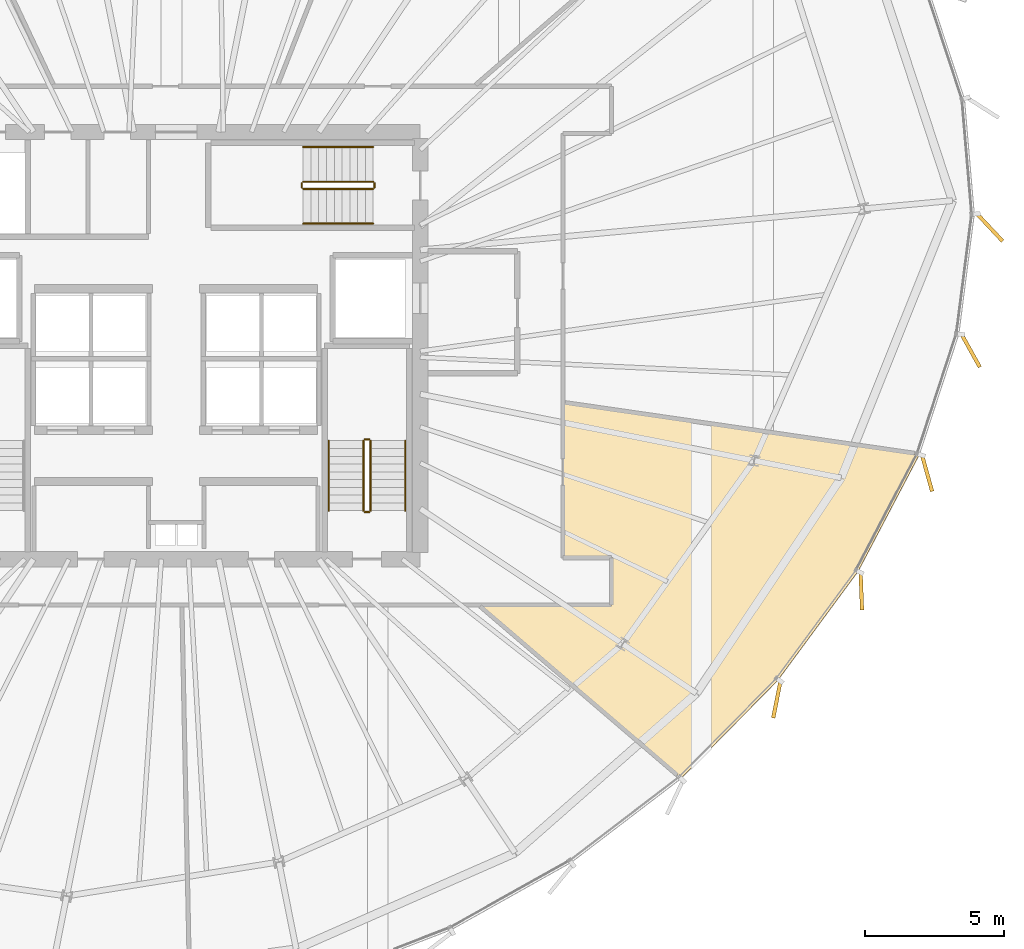
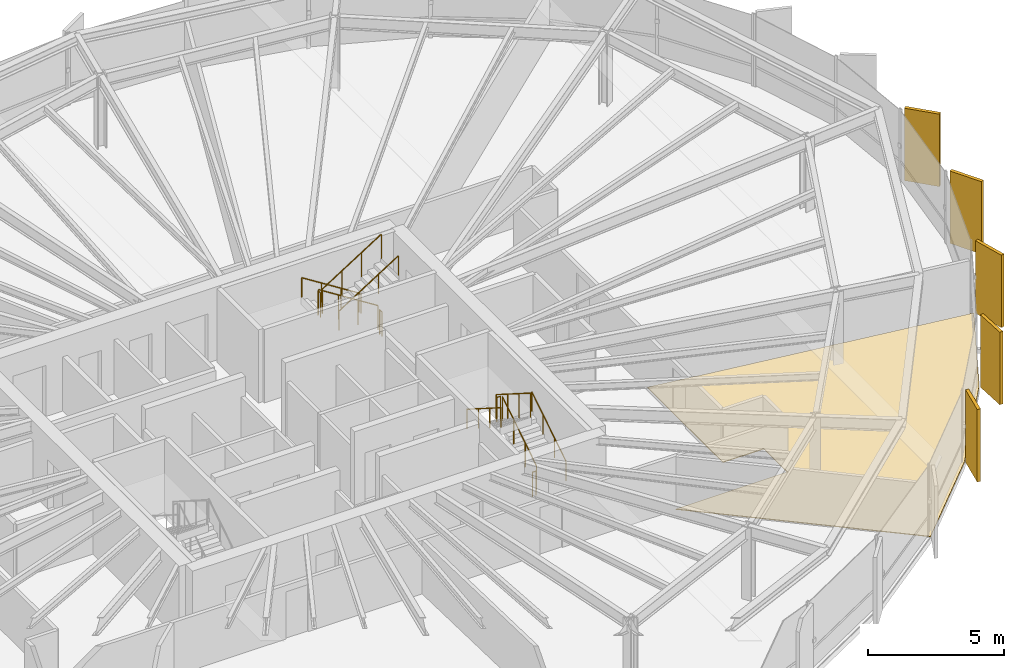
# One storey, part 34 of 35: 12 railings, 6 coverings.
"""IFC4 building model written with IfcOpenShell, lengths in metres."""

from ifc_helpers import new_model, si_unit, direction, frame, origin, origin_2d, place, context, subcontext, project, spatial, polyline, rectangle, circle, outline, extrude, source, transform, mapped, material, layer, layer_set, type_object, element, save


model = new_model("IFC4")

# Units and contexts
model_context = context("Model", 3, precision=1e-05, world=origin(), true_north=direction((0.0, 1.0)))
body_context = subcontext(model_context, "Body", "Model", "MODEL_VIEW")
ifc_project = project(units=[si_unit("LENGTHUNIT", "METRE"), si_unit("AREAUNIT", "SQUARE_METRE"), si_unit("VOLUMEUNIT", "CUBIC_METRE"), si_unit("PLANEANGLEUNIT", "RADIAN"), si_unit("MASSUNIT", "GRAM", prefix="KILO"), si_unit("THERMODYNAMICTEMPERATUREUNIT", "KELVIN")], contexts=[model_context])

# Site, building, storey
site_placement = place(None, origin())
site = spatial("IfcSite", under=ifc_project, at=site_placement, CompositionType="ELEMENT")
building_placement = place(site_placement, origin())
building = spatial("IfcBuilding", under=site, at=building_placement, Name="Kethvar Cultural Tower", CompositionType="ELEMENT")
storey_placement = place(building_placement, frame((0.0, 0.0, 135.89990234375)))
storey = spatial("IfcBuildingStorey", under=building, at=storey_placement, Name="L34", CompositionType="ELEMENT", Elevation=135.89990234375)

# Covering
ifc_material_1 = material(Name="Honed Warm Limestone", Category="masonry")
ifc_layer_1 = layer(ifc_material_1, 0.030029296875, Name="Honed Warm Limestone", Category="masonry")
ifc_layer_set_1 = layer_set([ifc_layer_1], Name="Honed Warm Limestone (30 mm)")
covering_type_1 = type_object("IfcCoveringType", Name="CV-STONE-FLOOR", PredefinedType="FLOORING", material=ifc_layer_set_1)
covering_placement = place(storey_placement, origin())
element("IfcCovering", 1, at=covering_placement, inside=storey, type_object=covering_type_1, Name="L34 Room 03 Floor Finish", PredefinedType="FLOORING", context=body_context, shape_type="SweptSolid", body=[
    extrude(outline(polyline([(71.3896484375, 19.666015625), (68.488037109375, 15.72802734375), (65.013671875, 12.2041015625), (57.7548828125, 18.429931640625), (62.5185546875, 18.4423828125), (62.51416015625, 20.1640625), (60.77001953125, 20.169921875), (60.77001953125, 25.732421875), (73.586669921875, 23.853759765625), (71.3896484375, 19.666015625)])), origin(), (0.0, 0.0, 1.0), 0.030029296875),
])

# Railings
ifc_material_2 = material(Name="Steel S355J2", Category="steel")
railing_type_1 = type_object("IfcRailingType", Name="RL-STAIR-GUARD", PredefinedType="BALUSTRADE", material=ifc_material_2)
railing_1_placement = place(storey_placement, frame((53.81005859375, 21.85009765625, 0.177490234375)))
element("IfcRailing", 2, at=railing_1_placement, inside=storey, type_object=railing_type_1, Name="L34 ST-02 stair guard 1", PredefinedType="BALUSTRADE", context=body_context, shape_type="SweptSolid", body=[
    extrude(circle(Radius=0.02392578125, at=origin_2d()), frame((0.0, 0.0, 1.09619140625), z_axis=(0.0, 0.84456994832, 0.535445237532), x_axis=(-1.0, 0.0, 0.0)), (0.0, 0.0, 1.0), 2.98388671875),
    extrude(circle(Radius=0.02099609375, at=origin_2d()), origin(), (0.0, 0.0, 1.0), 1.072021484375),
    extrude(circle(Radius=0.02099609375, at=origin_2d()), frame((0.0, 0.840087890625, 0.532470703125)), (0.0, 0.0, 1.0), 1.072021484375),
    extrude(circle(Radius=0.02099609375, at=origin_2d()), frame((0.0, 1.679931640625, 1.065185546875)), (0.0, 0.0, 1.0), 1.072021484375),
    extrude(circle(Radius=0.02099609375, at=origin_2d()), frame((0.0, 2.52001953125, 1.59765625)), (0.0, 0.0, 1.0), 1.072021484375),
])
railing_2_placement = place(storey_placement, frame((53.760009765625, 24.419921875, 1.775146484375)))
element("IfcRailing", 3, at=railing_2_placement, inside=storey, type_object=railing_type_1, Name="L34 ST-02 stair guard 2", PredefinedType="BALUSTRADE", context=body_context, shape_type="SweptSolid", body=[
    extrude(circle(Radius=0.02392578125, at=origin_2d()), frame((0.0, 0.0, 1.09619140625), z_axis=(-1.0, 0.0, 0.0), x_axis=(0.0, -1.0, 0.0)), (0.0, 0.0, 1.0), 0.159912109375),
    extrude(circle(Radius=0.02099609375, at=origin_2d()), origin(), (0.0, 0.0, 1.0), 1.072021484375),
    extrude(circle(Radius=0.02099609375, at=origin_2d()), frame((-0.159912109375, 0.0, 0.0)), (0.0, 0.0, 1.0), 1.072021484375),
])
railing_3_placement = place(storey_placement, frame((53.550048828125, 24.3701171875, 1.95263671875)))
element("IfcRailing", 4, at=railing_3_placement, inside=storey, type_object=railing_type_1, Name="L34 ST-02 stair guard 3", PredefinedType="BALUSTRADE", context=body_context, shape_type="SweptSolid", body=[
    extrude(circle(Radius=0.02392578125, at=origin_2d()), frame((0.0, 0.0, 1.09619140625), z_axis=(0.0, -0.84460694969, 0.535386869969), x_axis=(1.0, 0.0, 0.0)), (0.0, 0.0, 1.0), 2.983642578125),
    extrude(circle(Radius=0.02099609375, at=origin_2d()), origin(), (0.0, 0.0, 1.0), 1.072021484375),
    extrude(circle(Radius=0.02099609375, at=origin_2d()), frame((0.0, -0.840087890625, 0.532470703125)), (0.0, 0.0, 1.0), 1.072021484375),
    extrude(circle(Radius=0.02099609375, at=origin_2d()), frame((0.0, -1.679931640625, 1.06494140625)), (0.0, 0.0, 1.0), 1.072021484375),
    extrude(circle(Radius=0.02099609375, at=origin_2d()), frame((0.0, -2.52001953125, 1.597412109375)), (0.0, 0.0, 1.0), 1.072021484375),
])
railing_4_placement = place(storey_placement, frame((53.760009765625, 21.800048828125, 0.0)))
element("IfcRailing", 5, at=railing_4_placement, inside=storey, type_object=railing_type_1, Name="L34 ST-02 stair guard 4", PredefinedType="BALUSTRADE", context=body_context, shape_type="SweptSolid", body=[
    extrude(circle(Radius=0.02392578125, at=origin_2d()), frame((0.0, 0.0, 1.09619140625), z_axis=(-1.0, 0.0, 0.0), x_axis=(0.0, -1.0, 0.0)), (0.0, 0.0, 1.0), 0.159912109375),
    extrude(circle(Radius=0.02099609375, at=origin_2d()), origin(), (0.0, 0.0, 1.0), 1.072021484375),
    extrude(circle(Radius=0.02099609375, at=origin_2d()), frame((-0.159912109375, 0.0, 0.0)), (0.0, 0.0, 1.0), 1.072021484375),
])
railing_5_placement = place(storey_placement, frame((53.89990234375, 33.7099609375, 0.177490234375)))
element("IfcRailing", 6, at=railing_5_placement, inside=storey, type_object=railing_type_1, Name="L34 ST-03 stair guard 1", PredefinedType="BALUSTRADE", context=body_context, shape_type="SweptSolid", body=[
    extrude(circle(Radius=0.02392578125, at=origin_2d()), frame((0.0, 0.0, 1.09619140625), z_axis=(-0.84456994832, 0.0, 0.535445237532), x_axis=(0.0, -1.0, 0.0)), (0.0, 0.0, 1.0), 2.98388671875),
    extrude(circle(Radius=0.02099609375, at=origin_2d()), origin(), (0.0, 0.0, 1.0), 1.072021484375),
    extrude(circle(Radius=0.02099609375, at=origin_2d()), frame((-0.840087890625, 0.0, 0.532470703125)), (0.0, 0.0, 1.0), 1.072021484375),
    extrude(circle(Radius=0.02099609375, at=origin_2d()), frame((-1.679931640625, 0.0, 1.065185546875)), (0.0, 0.0, 1.0), 1.072021484375),
    extrude(circle(Radius=0.02099609375, at=origin_2d()), frame((-2.52001953125, 0.0, 1.59765625)), (0.0, 0.0, 1.0), 1.072021484375),
])
railing_6_placement = place(storey_placement, frame((51.330078125, 33.659912109375, 1.775146484375)))
element("IfcRailing", 7, at=railing_6_placement, inside=storey, type_object=railing_type_1, Name="L34 ST-03 stair guard 2", PredefinedType="BALUSTRADE", context=body_context, shape_type="SweptSolid", body=[
    extrude(circle(Radius=0.02392578125, at=origin_2d()), frame((0.0, 0.0, 1.09619140625), z_axis=(0.0, -1.0, 0.0), x_axis=(1.0, 0.0, 0.0)), (0.0, 0.0, 1.0), 0.159912109375),
    extrude(circle(Radius=0.02099609375, at=origin_2d()), origin(), (0.0, 0.0, 1.0), 1.072021484375),
    extrude(circle(Radius=0.02099609375, at=origin_2d()), frame((0.0, -0.159912109375, 0.0)), (0.0, 0.0, 1.0), 1.072021484375),
])
railing_7_placement = place(storey_placement, frame((51.3798828125, 33.449951171875, 1.95263671875)))
element("IfcRailing", 8, at=railing_7_placement, inside=storey, type_object=railing_type_1, Name="L34 ST-03 stair guard 3", PredefinedType="BALUSTRADE", context=body_context, shape_type="SweptSolid", body=[
    extrude(circle(Radius=0.02392578125, at=origin_2d()), frame((0.0, 0.0, 1.09619140625), z_axis=(0.84460694969, 0.0, 0.535386869969), x_axis=(0.0, 1.0, 0.0)), (0.0, 0.0, 1.0), 2.983642578125),
    extrude(circle(Radius=0.02099609375, at=origin_2d()), origin(), (0.0, 0.0, 1.0), 1.072021484375),
    extrude(circle(Radius=0.02099609375, at=origin_2d()), frame((0.840087890625, 0.0, 0.532470703125)), (0.0, 0.0, 1.0), 1.072021484375),
    extrude(circle(Radius=0.02099609375, at=origin_2d()), frame((1.679931640625, 0.0, 1.06494140625)), (0.0, 0.0, 1.0), 1.072021484375),
    extrude(circle(Radius=0.02099609375, at=origin_2d()), frame((2.52001953125, 0.0, 1.597412109375)), (0.0, 0.0, 1.0), 1.072021484375),
])
railing_8_placement = place(storey_placement, frame((53.949951171875, 33.659912109375, 0.0)))
element("IfcRailing", 9, at=railing_8_placement, inside=storey, type_object=railing_type_1, Name="L34 ST-03 stair guard 4", PredefinedType="BALUSTRADE", context=body_context, shape_type="SweptSolid", body=[
    extrude(circle(Radius=0.02392578125, at=origin_2d()), frame((0.0, 0.0, 1.09619140625), z_axis=(0.0, -1.0, 0.0), x_axis=(1.0, 0.0, 0.0)), (0.0, 0.0, 1.0), 0.159912109375),
    extrude(circle(Radius=0.02099609375, at=origin_2d()), origin(), (0.0, 0.0, 1.0), 1.072021484375),
    extrude(circle(Radius=0.02099609375, at=origin_2d()), frame((0.0, -0.159912109375, 0.0)), (0.0, 0.0, 1.0), 1.072021484375),
])
railing_type_2 = type_object("IfcRailingType", Name="RL-STAIR-HANDRAIL", PredefinedType="HANDRAIL", material=ifc_material_2)
railing_9_placement = place(storey_placement, frame((55.06005859375, 21.85009765625, 0.177490234375)))
element("IfcRailing", 10, at=railing_9_placement, inside=storey, type_object=railing_type_2, Name="L34 ST-02 stair handrail 1", PredefinedType="HANDRAIL", context=body_context, shape_type="SweptSolid", body=[
    extrude(circle(Radius=0.02392578125, at=origin_2d()), frame((0.0, 0.0, 0.8759765625), z_axis=(0.0, 0.84456994832, 0.535445237532), x_axis=(-1.0, 0.0, 0.0)), (0.0, 0.0, 1.0), 2.98388671875),
    extrude(circle(Radius=0.02099609375, at=origin_2d()), origin(), (0.0, 0.0, 1.0), 0.851806640625),
    extrude(circle(Radius=0.02099609375, at=origin_2d()), frame((0.0, 0.840087890625, 0.532470703125)), (0.0, 0.0, 1.0), 0.851806640625),
    extrude(circle(Radius=0.02099609375, at=origin_2d()), frame((0.0, 1.679931640625, 1.065185546875)), (0.0, 0.0, 1.0), 0.851806640625),
    extrude(circle(Radius=0.02099609375, at=origin_2d()), frame((0.0, 2.52001953125, 1.59765625)), (0.0, 0.0, 1.0), 0.851806640625),
])
railing_10_placement = place(storey_placement, frame((52.300048828125, 24.3701171875, 1.95263671875)))
element("IfcRailing", 11, at=railing_10_placement, inside=storey, type_object=railing_type_2, Name="L34 ST-02 stair handrail 2", PredefinedType="HANDRAIL", context=body_context, shape_type="SweptSolid", body=[
    extrude(circle(Radius=0.02392578125, at=origin_2d()), frame((0.0, 0.0, 0.8759765625), z_axis=(0.0, -0.84460694969, 0.535386869969), x_axis=(1.0, 0.0, 0.0)), (0.0, 0.0, 1.0), 2.983642578125),
    extrude(circle(Radius=0.02099609375, at=origin_2d()), origin(), (0.0, 0.0, 1.0), 0.851806640625),
    extrude(circle(Radius=0.02099609375, at=origin_2d()), frame((0.0, -0.840087890625, 0.532470703125)), (0.0, 0.0, 1.0), 0.851806640625),
    extrude(circle(Radius=0.02099609375, at=origin_2d()), frame((0.0, -1.679931640625, 1.06494140625)), (0.0, 0.0, 1.0), 0.851806640625),
    extrude(circle(Radius=0.02099609375, at=origin_2d()), frame((0.0, -2.52001953125, 1.597412109375)), (0.0, 0.0, 1.0), 0.851806640625),
])
railing_11_placement = place(storey_placement, frame((53.89990234375, 34.9599609375, 0.177490234375)))
element("IfcRailing", 12, at=railing_11_placement, inside=storey, type_object=railing_type_2, Name="L34 ST-03 stair handrail 1", PredefinedType="HANDRAIL", context=body_context, shape_type="SweptSolid", body=[
    extrude(circle(Radius=0.02392578125, at=origin_2d()), frame((0.0, 0.0, 0.8759765625), z_axis=(-0.84456994832, 0.0, 0.535445237532), x_axis=(0.0, -1.0, 0.0)), (0.0, 0.0, 1.0), 2.98388671875),
    extrude(circle(Radius=0.02099609375, at=origin_2d()), origin(), (0.0, 0.0, 1.0), 0.851806640625),
    extrude(circle(Radius=0.02099609375, at=origin_2d()), frame((-0.840087890625, 0.0, 0.532470703125)), (0.0, 0.0, 1.0), 0.851806640625),
    extrude(circle(Radius=0.02099609375, at=origin_2d()), frame((-1.679931640625, 0.0, 1.065185546875)), (0.0, 0.0, 1.0), 0.851806640625),
    extrude(circle(Radius=0.02099609375, at=origin_2d()), frame((-2.52001953125, 0.0, 1.59765625)), (0.0, 0.0, 1.0), 0.851806640625),
])
railing_12_placement = place(storey_placement, frame((51.3798828125, 32.199951171875, 1.95263671875)))
element("IfcRailing", 13, at=railing_12_placement, inside=storey, type_object=railing_type_2, Name="L34 ST-03 stair handrail 2", PredefinedType="HANDRAIL", context=body_context, shape_type="SweptSolid", body=[
    extrude(circle(Radius=0.02392578125, at=origin_2d()), frame((0.0, 0.0, 0.8759765625), z_axis=(0.84460694969, 0.0, 0.535386869969), x_axis=(0.0, 1.0, 0.0)), (0.0, 0.0, 1.0), 2.983642578125),
    extrude(circle(Radius=0.02099609375, at=origin_2d()), origin(), (0.0, 0.0, 1.0), 0.851806640625),
    extrude(circle(Radius=0.02099609375, at=origin_2d()), frame((0.840087890625, 0.0, 0.532470703125)), (0.0, 0.0, 1.0), 0.851806640625),
    extrude(circle(Radius=0.02099609375, at=origin_2d()), frame((1.679931640625, 0.0, 1.06494140625)), (0.0, 0.0, 1.0), 0.851806640625),
    extrude(circle(Radius=0.02099609375, at=origin_2d()), frame((2.52001953125, 0.0, 1.597412109375)), (0.0, 0.0, 1.0), 0.851806640625),
])

# Coverings
ifc_material_3 = material(Name="Extruded Architectural Terracotta", Category="masonry")
ifc_layer_2 = layer(ifc_material_3, 0.135009765625, Name="Extruded Architectural Terracotta", Category="masonry")
ifc_layer_set_2 = layer_set([ifc_layer_2], Name="Extruded Architectural Terracotta (135 mm)")
covering_type_2 = type_object("IfcCoveringType", Name="Terracotta Facade Fin FIN-02", PredefinedType="CLADDING", material=ifc_layer_set_2)
shared_shape = source(origin(), body_context, "Body", "SweptSolid", [
    extrude(rectangle(XDim=1.35009765625, YDim=0.135009765625, at=origin_2d()), origin(), (0.0, 0.0, 1.0), 3.260009765625),
])
for number, where, z_axis, x_axis, name in (
    (14, (68.45849609375, 15.037109375, 0.02001953125), (0.0, 0.0, 1.0), (-0.195774991714, -0.980648842665, 0.0), "L34 Vertical Terracotta Fin 6.1"),
    (15, (71.503662109375, 18.94384765625, 0.02001953125), (0.0, 0.0, 1.0), (0.038736615301, -0.999249455659, 0.0), "L34 Vertical Terracotta Fin 6.2"),
    (16, (73.875, 23.1943359375, 0.02001953125), (0.0, 0.0, 1.0), (0.268583597078, -0.963256378842, 0.0), "L34 Vertical Terracotta Fin 6.3"),
    (17, (75.447021484375, 27.61474609375, 0.02001953125), (0.0, 0.0, 1.0), (0.486945269945, -0.873432483984, 0.0), "L34 Vertical Terracotta Fin 6.4"),
    (18, (76.136474609375, 32.058349609375, 0.02001953125), (0.0, 0.0, 1.0), (0.684165325029, -0.729326955506, 0.0), "L34 Vertical Terracotta Fin 6.5"),
):
    element("IfcCovering", number, at=place(storey_placement, frame(where, z_axis=z_axis, x_axis=x_axis)), inside=storey, type_object=covering_type_2, Name=name, PredefinedType="CLADDING", context=body_context, shape_type="MappedRepresentation", body=[
        mapped(shared_shape, transform((0.0, 0.0, 0.0), scale=1.0)),
    ])

save(model, "model.ifc")
